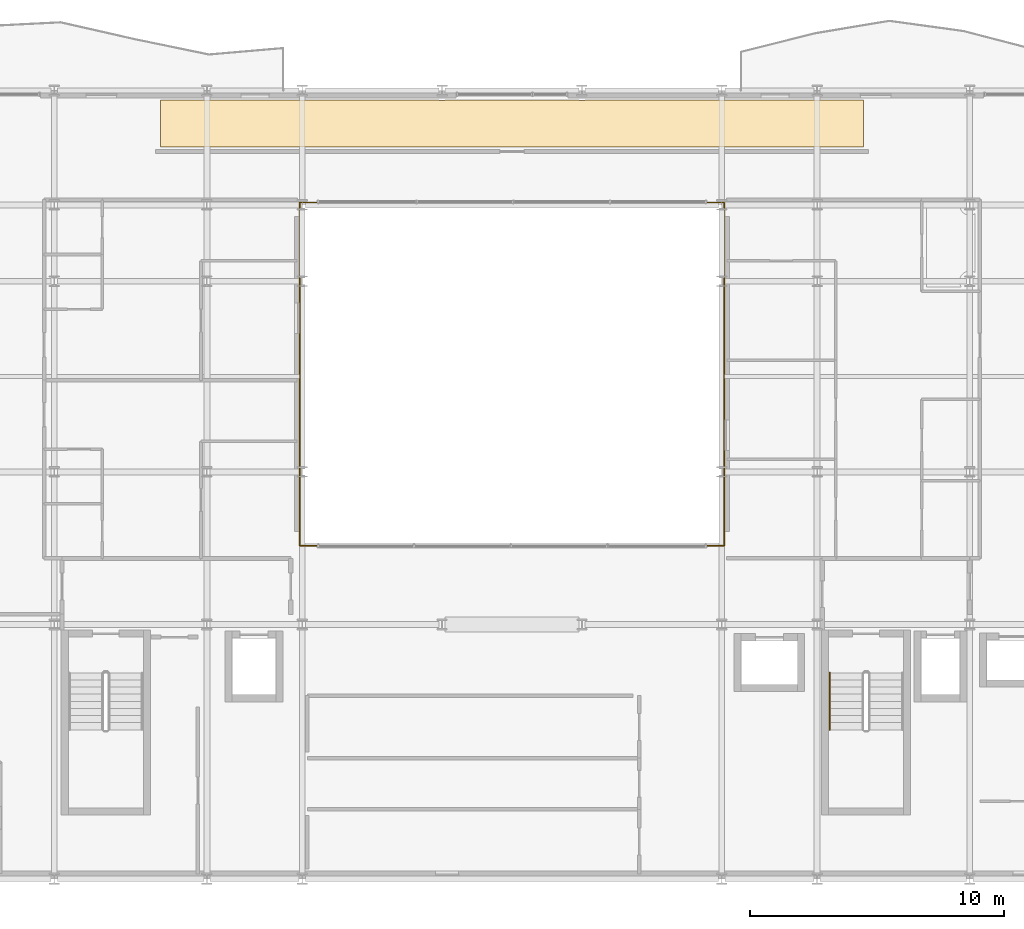
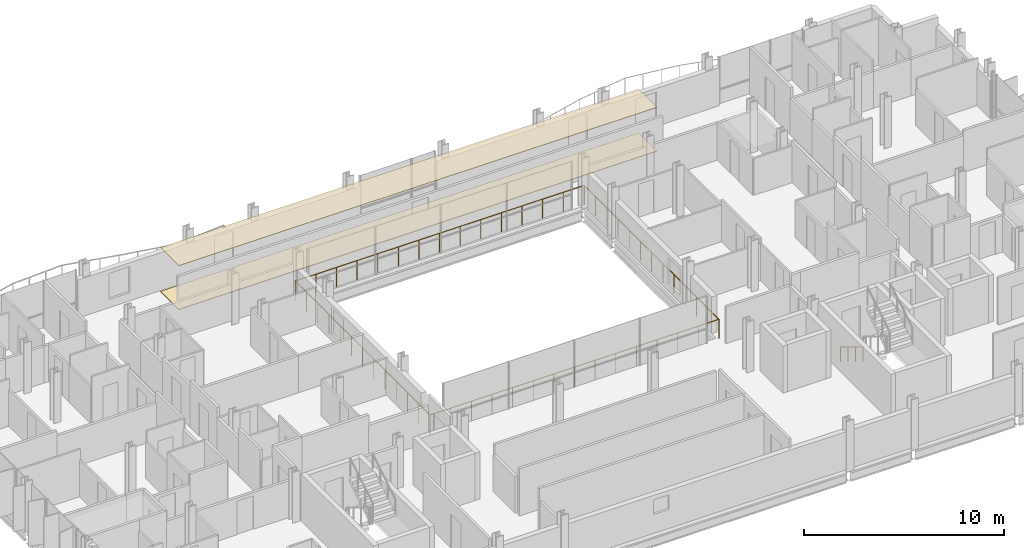
# One storey, part 37 of 39: 3 railings, 2 coverings.
"""IFC4 building model written with IfcOpenShell, lengths in metres."""

from ifc_helpers import new_model, si_unit, direction, frame, origin, origin_2d, place, context, subcontext, project, spatial, polyline, circle, outline, extrude, material, layer, layer_set, type_object, element, save


model = new_model("IFC4")

# Units and contexts
model_context = context("Model", 3, precision=1e-05, world=origin(), true_north=direction((0.0, 1.0)))
body_context = subcontext(model_context, "Body", "Model", "MODEL_VIEW")
ifc_project = project(units=[si_unit("LENGTHUNIT", "METRE"), si_unit("AREAUNIT", "SQUARE_METRE"), si_unit("VOLUMEUNIT", "CUBIC_METRE"), si_unit("PLANEANGLEUNIT", "RADIAN"), si_unit("MASSUNIT", "GRAM", prefix="KILO")], contexts=[model_context])

# Site, building, storey
site_placement = place(None, origin())
site = spatial("IfcSite", under=ifc_project, at=site_placement, CompositionType="ELEMENT")
building_placement = place(site_placement, origin())
building = spatial("IfcBuilding", under=site, at=building_placement, Name="Brevholm Reach", CompositionType="ELEMENT")
storey_placement = place(building_placement, frame((0.0, 0.0, 115.89990234375)))
storey = spatial("IfcBuildingStorey", under=building, at=storey_placement, Name="L34", CompositionType="ELEMENT", Elevation=115.89990234375)

# Coverings
ifc_material_1 = material(Name="Moisture-Resistant Skimmed Gypsum Plasterboard Ceiling", Category="gypsum")
ifc_layer_1 = layer(ifc_material_1, 0.030029296875)
ifc_layer_set_1 = layer_set([ifc_layer_1], Name="Moisture-Resistant Skimmed Gypsum Plasterboard Ceiling")
covering_type_1 = type_object("IfcCoveringType", Name="COV-CLG-GYP", PredefinedType="CEILING", material=ifc_layer_set_1)
covering_1_placement = place(storey_placement, frame((0.0, 0.0, 2.68017578125)))
element("IfcCovering", 1, at=covering_1_placement, inside=storey, type_object=covering_type_1, Name="L34 Suspended Ceiling L34-72", PredefinedType="CEILING", context=body_context, shape_type="SweptSolid", body=[
    extrude(outline(polyline([(16.179931640625, 30.6201171875), (17.876220703125, 30.6201171875), (17.8837890625, 30.6171875), (17.922119140625, 30.607666015625), (17.960693359375, 30.601806640625), (18.0, 30.60009765625), (18.039306640625, 30.601806640625), (18.077880859375, 30.607666015625), (18.1162109375, 30.6171875), (18.123779296875, 30.6201171875), (21.626220703125, 30.6201171875), (21.6337890625, 30.6171875), (21.672119140625, 30.607666015625), (21.710693359375, 30.601806640625), (21.75, 30.60009765625), (21.789306640625, 30.601806640625), (21.827880859375, 30.607666015625), (21.8662109375, 30.6171875), (21.873779296875, 30.6201171875), (27.126220703125, 30.6201171875), (27.1337890625, 30.6171875), (27.172119140625, 30.607666015625), (27.210693359375, 30.601806640625), (27.25, 30.60009765625), (27.289306640625, 30.601806640625), (27.327880859375, 30.607666015625), (27.3662109375, 30.6171875), (27.373779296875, 30.6201171875), (32.626220703125, 30.6201171875), (32.6337890625, 30.6171875), (32.672119140625, 30.607666015625), (32.710693359375, 30.601806640625), (32.75, 30.60009765625), (32.789306640625, 30.601806640625), (32.827880859375, 30.607666015625), (32.8662109375, 30.6171875), (32.873779296875, 30.6201171875), (38.126220703125, 30.6201171875), (38.1337890625, 30.6171875), (38.172119140625, 30.607666015625), (38.210693359375, 30.601806640625), (38.25, 30.60009765625), (38.289306640625, 30.601806640625), (38.327880859375, 30.607666015625), (38.3662109375, 30.6171875), (38.373779296875, 30.6201171875), (41.876220703125, 30.6201171875), (41.8837890625, 30.6171875), (41.922119140625, 30.607666015625), (41.960693359375, 30.601806640625), (42.0, 30.60009765625), (42.039306640625, 30.601806640625), (42.077880859375, 30.607666015625), (42.1162109375, 30.6171875), (42.123779296875, 30.6201171875), (43.820068359375, 30.6201171875), (43.820068359375, 28.783935546875), (16.179931640625, 28.783935546875), (16.179931640625, 30.6201171875)])), origin(), (0.0, 0.0, 1.0), 0.030029296875),
])
ifc_material_2 = material(Name="Honed Portland-Aggregate Resin Terrazzo Flooring", Category="concrete")
ifc_layer_2 = layer(ifc_material_2, 0.031982421875)
ifc_layer_set_2 = layer_set([ifc_layer_2], Name="Honed Portland-Aggregate Resin Terrazzo Flooring")
covering_type_2 = type_object("IfcCoveringType", Name="COV-FLR-TRZ", PredefinedType="FLOORING", material=ifc_layer_set_2)
covering_2_placement = place(storey_placement, origin())
element("IfcCovering", 2, at=covering_2_placement, inside=storey, type_object=covering_type_2, Name="L34 Floor Finish L34-72", PredefinedType="FLOORING", context=body_context, shape_type="SweptSolid", body=[
    extrude(outline(polyline([(16.179931640625, 30.6201171875), (17.876220703125, 30.6201171875), (17.8837890625, 30.6171875), (17.922119140625, 30.607666015625), (17.960693359375, 30.601806640625), (18.0, 30.60009765625), (18.039306640625, 30.601806640625), (18.077880859375, 30.607666015625), (18.1162109375, 30.6171875), (18.123779296875, 30.6201171875), (21.626220703125, 30.6201171875), (21.6337890625, 30.6171875), (21.672119140625, 30.607666015625), (21.710693359375, 30.601806640625), (21.75, 30.60009765625), (21.789306640625, 30.601806640625), (21.827880859375, 30.607666015625), (21.8662109375, 30.6171875), (21.873779296875, 30.6201171875), (27.126220703125, 30.6201171875), (27.1337890625, 30.6171875), (27.172119140625, 30.607666015625), (27.210693359375, 30.601806640625), (27.25, 30.60009765625), (27.289306640625, 30.601806640625), (27.327880859375, 30.607666015625), (27.3662109375, 30.6171875), (27.373779296875, 30.6201171875), (32.626220703125, 30.6201171875), (32.6337890625, 30.6171875), (32.672119140625, 30.607666015625), (32.710693359375, 30.601806640625), (32.75, 30.60009765625), (32.789306640625, 30.601806640625), (32.827880859375, 30.607666015625), (32.8662109375, 30.6171875), (32.873779296875, 30.6201171875), (38.126220703125, 30.6201171875), (38.1337890625, 30.6171875), (38.172119140625, 30.607666015625), (38.210693359375, 30.601806640625), (38.25, 30.60009765625), (38.289306640625, 30.601806640625), (38.327880859375, 30.607666015625), (38.3662109375, 30.6171875), (38.373779296875, 30.6201171875), (41.876220703125, 30.6201171875), (41.8837890625, 30.6171875), (41.922119140625, 30.607666015625), (41.960693359375, 30.601806640625), (42.0, 30.60009765625), (42.039306640625, 30.601806640625), (42.077880859375, 30.607666015625), (42.1162109375, 30.6171875), (42.123779296875, 30.6201171875), (43.820068359375, 30.6201171875), (43.820068359375, 28.783935546875), (16.179931640625, 28.783935546875), (16.179931640625, 30.6201171875)])), origin(), (0.0, 0.0, 1.0), 0.031982421875),
])

# Railings
ifc_material_3 = material(Name="Brushed Stainless Steel EN 1.4401 Continuous Handrail", Category="steel")
railing_type_1 = type_object("IfcRailingType", Name="RAL-HND-950", PredefinedType="HANDRAIL", material=ifc_material_3)
railing_1_placement = place(storey_placement, frame((42.5, 8.10009765625, 0.17236328125)))
element("IfcRailing", 3, at=railing_1_placement, inside=storey, type_object=railing_type_1, Name="L34 ST-2 stair handrail 1", PredefinedType="HANDRAIL", context=body_context, shape_type="SweptSolid", body=[
    extrude(circle(Radius=0.02392578125, at=origin_2d()), frame((0.0, 0.0, 0.8857421875), z_axis=(0.0, -0.85178898068, 0.523885037382), x_axis=(1.0, 0.0, 0.0)), (0.0, 0.0, 1.0), 2.629638671875),
    extrude(circle(Radius=0.02099609375, at=origin_2d()), origin(), (0.0, 0.0, 1.0), 0.86181640625),
    extrude(circle(Radius=0.02099609375, at=origin_2d()), frame((0.0, -0.74658203125, 0.459228515625)), (0.0, 0.0, 1.0), 0.86181640625),
    extrude(circle(Radius=0.02099609375, at=origin_2d()), frame((0.0, -1.493408203125, 0.91845703125)), (0.0, 0.0, 1.0), 0.86181640625),
    extrude(circle(Radius=0.02099609375, at=origin_2d()), frame((0.0, -2.239990234375, 1.377685546875)), (0.0, 0.0, 1.0), 0.86181640625),
])
ifc_material_4 = material(Name="Brushed Stainless Steel EN 1.4401 and Laminated Glass", Category="steel")
railing_type_2 = type_object("IfcRailingType", Name="RAL-TERR-1200", PredefinedType="BALUSTRADE", material=ifc_material_4)
railing_2_placement = place(storey_placement, frame((21.64990234375, 13.10009765625, 0.0)))
element("IfcRailing", 4, at=railing_2_placement, inside=storey, type_object=railing_type_2, Name="L34 Guard Balustrade RAL-L34-AT-VOID-SW", PredefinedType="BALUSTRADE", context=body_context, shape_type="SweptSolid", body=[
    extrude(circle(Radius=0.02392578125, at=origin_2d()), frame((0.0, 0.0, 1.17578125), z_axis=(1.0, 0.0, 0.0), x_axis=(0.0, 1.0, 0.0)), (0.0, 0.0, 1.0), 16.7001953125),
    extrude(circle(Radius=0.02392578125, at=origin_2d()), frame((16.7001953125, 0.0, 1.17578125), z_axis=(0.0, 1.0, 0.0), x_axis=(-1.0, 0.0, 0.0)), (0.0, 0.0, 1.0), 13.47998046875),
    extrude(circle(Radius=0.02099609375, at=origin_2d()), origin(), (0.0, 0.0, 1.0), 1.15185546875),
    extrude(circle(Radius=0.02099609375, at=origin_2d()), frame((1.19287109375, 0.0, 0.0)), (0.0, 0.0, 1.0), 1.15185546875),
    extrude(circle(Radius=0.02099609375, at=origin_2d()), frame((2.3857421875, 0.0, 0.0)), (0.0, 0.0, 1.0), 1.15185546875),
    extrude(circle(Radius=0.02099609375, at=origin_2d()), frame((3.57861328125, 0.0, 0.0)), (0.0, 0.0, 1.0), 1.15185546875),
    extrude(circle(Radius=0.02099609375, at=origin_2d()), frame((4.771484375, 0.0, 0.0)), (0.0, 0.0, 1.0), 1.15185546875),
    extrude(circle(Radius=0.02099609375, at=origin_2d()), frame((5.96435546875, 0.0, 0.0)), (0.0, 0.0, 1.0), 1.15185546875),
    extrude(circle(Radius=0.02099609375, at=origin_2d()), frame((7.1572265625, 0.0, 0.0)), (0.0, 0.0, 1.0), 1.15185546875),
    extrude(circle(Radius=0.02099609375, at=origin_2d()), frame((8.35009765625, 0.0, 0.0)), (0.0, 0.0, 1.0), 1.15185546875),
    extrude(circle(Radius=0.02099609375, at=origin_2d()), frame((9.54296875, 0.0, 0.0)), (0.0, 0.0, 1.0), 1.15185546875),
    extrude(circle(Radius=0.02099609375, at=origin_2d()), frame((10.73583984375, 0.0, 0.0)), (0.0, 0.0, 1.0), 1.15185546875),
    extrude(circle(Radius=0.02099609375, at=origin_2d()), frame((11.9287109375, 0.0, 0.0)), (0.0, 0.0, 1.0), 1.15185546875),
    extrude(circle(Radius=0.02099609375, at=origin_2d()), frame((13.12158203125, 0.0, 0.0)), (0.0, 0.0, 1.0), 1.15185546875),
    extrude(circle(Radius=0.02099609375, at=origin_2d()), frame((14.314453125, 0.0, 0.0)), (0.0, 0.0, 1.0), 1.15185546875),
    extrude(circle(Radius=0.02099609375, at=origin_2d()), frame((15.50732421875, 0.0, 0.0)), (0.0, 0.0, 1.0), 1.15185546875),
    extrude(circle(Radius=0.02099609375, at=origin_2d()), frame((16.7001953125, 0.0, 0.0)), (0.0, 0.0, 1.0), 1.15185546875),
    extrude(circle(Radius=0.02099609375, at=origin_2d()), frame((16.7001953125, 1.123291015625, 0.0)), (0.0, 0.0, 1.0), 1.15185546875),
    extrude(circle(Radius=0.02099609375, at=origin_2d()), frame((16.7001953125, 2.24658203125, 0.0)), (0.0, 0.0, 1.0), 1.15185546875),
    extrude(circle(Radius=0.02099609375, at=origin_2d()), frame((16.7001953125, 3.3701171875, 0.0)), (0.0, 0.0, 1.0), 1.15185546875),
    extrude(circle(Radius=0.02099609375, at=origin_2d()), frame((16.7001953125, 4.493408203125, 0.0)), (0.0, 0.0, 1.0), 1.15185546875),
    extrude(circle(Radius=0.02099609375, at=origin_2d()), frame((16.7001953125, 5.61669921875, 0.0)), (0.0, 0.0, 1.0), 1.15185546875),
    extrude(circle(Radius=0.02099609375, at=origin_2d()), frame((16.7001953125, 6.739990234375, 0.0)), (0.0, 0.0, 1.0), 1.15185546875),
    extrude(circle(Radius=0.02099609375, at=origin_2d()), frame((16.7001953125, 7.86328125, 0.0)), (0.0, 0.0, 1.0), 1.15185546875),
    extrude(circle(Radius=0.02099609375, at=origin_2d()), frame((16.7001953125, 8.986572265625, 0.0)), (0.0, 0.0, 1.0), 1.15185546875),
    extrude(circle(Radius=0.02099609375, at=origin_2d()), frame((16.7001953125, 10.10986328125, 0.0)), (0.0, 0.0, 1.0), 1.15185546875),
    extrude(circle(Radius=0.02099609375, at=origin_2d()), frame((16.7001953125, 11.2333984375, 0.0)), (0.0, 0.0, 1.0), 1.15185546875),
    extrude(circle(Radius=0.02099609375, at=origin_2d()), frame((16.7001953125, 12.356689453125, 0.0)), (0.0, 0.0, 1.0), 1.15185546875),
    extrude(circle(Radius=0.02099609375, at=origin_2d()), frame((16.7001953125, 13.47998046875, 0.0)), (0.0, 0.0, 1.0), 1.15185546875),
])
railing_3_placement = place(storey_placement, frame((38.330078125, 26.60009765625, 0.0)))
element("IfcRailing", 5, at=railing_3_placement, inside=storey, type_object=railing_type_2, Name="L34 Guard Balustrade RAL-L34-AT-VOID-NE", PredefinedType="BALUSTRADE", context=body_context, shape_type="SweptSolid", body=[
    extrude(circle(Radius=0.02392578125, at=origin_2d()), frame((0.0, 0.0, 1.17578125), z_axis=(-1.0, 0.0, 0.0), x_axis=(0.0, -1.0, 0.0)), (0.0, 0.0, 1.0), 16.68017578125),
    extrude(circle(Radius=0.02392578125, at=origin_2d()), frame((-16.68017578125, 0.0, 1.17578125), z_axis=(0.0, -1.0, 0.0), x_axis=(1.0, 0.0, 0.0)), (0.0, 0.0, 1.0), 13.47998046875),
    extrude(circle(Radius=0.02099609375, at=origin_2d()), origin(), (0.0, 0.0, 1.0), 1.15185546875),
    extrude(circle(Radius=0.02099609375, at=origin_2d()), frame((-1.19140625, 0.0, 0.0)), (0.0, 0.0, 1.0), 1.15185546875),
    extrude(circle(Radius=0.02099609375, at=origin_2d()), frame((-2.3828125, 0.0, 0.0)), (0.0, 0.0, 1.0), 1.15185546875),
    extrude(circle(Radius=0.02099609375, at=origin_2d()), frame((-3.57421875, 0.0, 0.0)), (0.0, 0.0, 1.0), 1.15185546875),
    extrude(circle(Radius=0.02099609375, at=origin_2d()), frame((-4.765869140625, 0.0, 0.0)), (0.0, 0.0, 1.0), 1.15185546875),
    extrude(circle(Radius=0.02099609375, at=origin_2d()), frame((-5.957275390625, 0.0, 0.0)), (0.0, 0.0, 1.0), 1.15185546875),
    extrude(circle(Radius=0.02099609375, at=origin_2d()), frame((-7.148681640625, 0.0, 0.0)), (0.0, 0.0, 1.0), 1.15185546875),
    extrude(circle(Radius=0.02099609375, at=origin_2d()), frame((-8.340087890625, 0.0, 0.0)), (0.0, 0.0, 1.0), 1.15185546875),
    extrude(circle(Radius=0.02099609375, at=origin_2d()), frame((-9.531494140625, 0.0, 0.0)), (0.0, 0.0, 1.0), 1.15185546875),
    extrude(circle(Radius=0.02099609375, at=origin_2d()), frame((-10.722900390625, 0.0, 0.0)), (0.0, 0.0, 1.0), 1.15185546875),
    extrude(circle(Radius=0.02099609375, at=origin_2d()), frame((-11.914306640625, 0.0, 0.0)), (0.0, 0.0, 1.0), 1.15185546875),
    extrude(circle(Radius=0.02099609375, at=origin_2d()), frame((-13.10595703125, 0.0, 0.0)), (0.0, 0.0, 1.0), 1.15185546875),
    extrude(circle(Radius=0.02099609375, at=origin_2d()), frame((-14.29736328125, 0.0, 0.0)), (0.0, 0.0, 1.0), 1.15185546875),
    extrude(circle(Radius=0.02099609375, at=origin_2d()), frame((-15.48876953125, 0.0, 0.0)), (0.0, 0.0, 1.0), 1.15185546875),
    extrude(circle(Radius=0.02099609375, at=origin_2d()), frame((-16.68017578125, 0.0, 0.0)), (0.0, 0.0, 1.0), 1.15185546875),
    extrude(circle(Radius=0.02099609375, at=origin_2d()), frame((-16.68017578125, -1.123291015625, 0.0)), (0.0, 0.0, 1.0), 1.15185546875),
    extrude(circle(Radius=0.02099609375, at=origin_2d()), frame((-16.68017578125, -2.24658203125, 0.0)), (0.0, 0.0, 1.0), 1.15185546875),
    extrude(circle(Radius=0.02099609375, at=origin_2d()), frame((-16.68017578125, -3.3701171875, 0.0)), (0.0, 0.0, 1.0), 1.15185546875),
    extrude(circle(Radius=0.02099609375, at=origin_2d()), frame((-16.68017578125, -4.493408203125, 0.0)), (0.0, 0.0, 1.0), 1.15185546875),
    extrude(circle(Radius=0.02099609375, at=origin_2d()), frame((-16.68017578125, -5.61669921875, 0.0)), (0.0, 0.0, 1.0), 1.15185546875),
    extrude(circle(Radius=0.02099609375, at=origin_2d()), frame((-16.68017578125, -6.739990234375, 0.0)), (0.0, 0.0, 1.0), 1.15185546875),
    extrude(circle(Radius=0.02099609375, at=origin_2d()), frame((-16.68017578125, -7.86328125, 0.0)), (0.0, 0.0, 1.0), 1.15185546875),
    extrude(circle(Radius=0.02099609375, at=origin_2d()), frame((-16.68017578125, -8.986572265625, 0.0)), (0.0, 0.0, 1.0), 1.15185546875),
    extrude(circle(Radius=0.02099609375, at=origin_2d()), frame((-16.68017578125, -10.10986328125, 0.0)), (0.0, 0.0, 1.0), 1.15185546875),
    extrude(circle(Radius=0.02099609375, at=origin_2d()), frame((-16.68017578125, -11.2333984375, 0.0)), (0.0, 0.0, 1.0), 1.15185546875),
    extrude(circle(Radius=0.02099609375, at=origin_2d()), frame((-16.68017578125, -12.356689453125, 0.0)), (0.0, 0.0, 1.0), 1.15185546875),
    extrude(circle(Radius=0.02099609375, at=origin_2d()), frame((-16.68017578125, -13.47998046875, 0.0)), (0.0, 0.0, 1.0), 1.15185546875),
])

save(model, "model.ifc")
